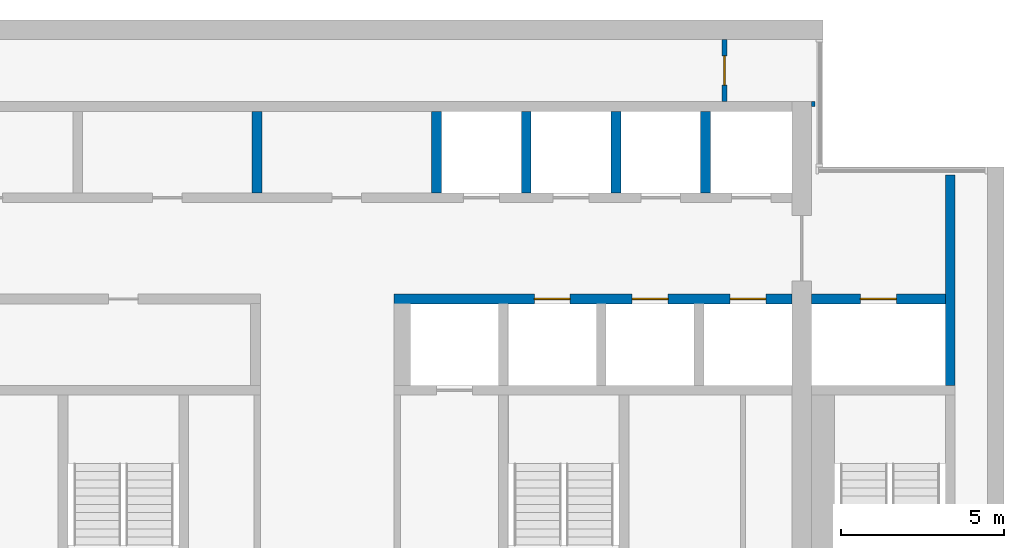
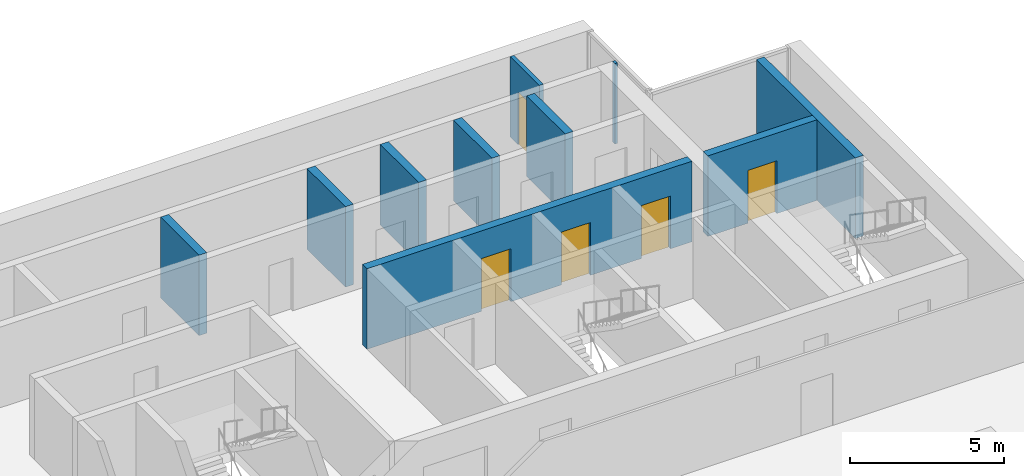
# One storey, part 11 of 14: 10 walls, 5 doors, 5 openings.
"""IFC4 building model written with IfcOpenShell, lengths in metres."""

from ifc_helpers import new_model, si_unit, direction, frame, frame_2d, origin, place, context, subcontext, project, spatial, rectangle, extrude, material, layer, layer_set, type_object, element, fill, save


model = new_model("IFC4")

# Units and contexts
model_context = context("Model", 3, precision=1e-05, world=origin(), true_north=direction((0.0, 1.0)))
body_context = subcontext(model_context, "Body", "Model", "MODEL_VIEW")
ifc_project = project(units=[si_unit("LENGTHUNIT", "METRE"), si_unit("AREAUNIT", "SQUARE_METRE"), si_unit("VOLUMEUNIT", "CUBIC_METRE"), si_unit("PLANEANGLEUNIT", "RADIAN"), si_unit("MASSUNIT", "GRAM", prefix="KILO")], contexts=[model_context])

# Site, building, storey
site_placement = place(None, origin())
site = spatial("IfcSite", under=ifc_project, at=site_placement, CompositionType="ELEMENT")
building_placement = place(site_placement, origin())
building = spatial("IfcBuilding", under=site, at=building_placement, Name="Calvaro Tower", CompositionType="ELEMENT")
storey_placement = place(building_placement, frame((0.0, 0.0, 262.14990234375)))
storey = spatial("IfcBuildingStorey", under=building, at=storey_placement, Name="L66", CompositionType="ELEMENT", Elevation=262.14990234375)

# Wall
ifc_material_1 = material(Name="Blockwork partition", Category="masonry")
ifc_layer_1 = layer(ifc_material_1, 0.10009765625)
ifc_layer_set_1 = layer_set([ifc_layer_1], Name="Blockwork partition")
wall_type_1 = type_object("IfcWallType", Name="Core partition 100 REI 120", PredefinedType="PARTITIONING", material=ifc_layer_set_1)
wall_1_placement = place(storey_placement, frame((60.14990234375, 43.35009765625, 0.0), z_axis=(0.0, 0.0, 1.0), x_axis=(0.0, 1.0, 0.0)))
element("IfcWall", 1, at=wall_1_placement, inside=storey, type_object=wall_type_1, Name="Core partition", PredefinedType="PARTITIONING", context=body_context, shape_type="SweptSolid", body=[
    extrude(rectangle(XDim=0.14990234375, YDim=0.10009765625, at=frame_2d((0.074951171875, 0.0))), origin(), (0.0, 0.0, 1.0), 3.2001953125),
])

# Wall, opening, door
ifc_material_2 = material(Name="Blockwork partition", Category="masonry")
ifc_layer_2 = layer(ifc_material_2, 0.14990234375)
ifc_layer_set_2 = layer_set([ifc_layer_2], Name="Blockwork partition")
wall_type_2 = type_object("IfcWallType", Name="Core partition 150 REI 120", PredefinedType="PARTITIONING", material=ifc_layer_set_2)
wall_2_placement = place(storey_placement, frame((57.425048828125, 45.39990234375, 0.0), z_axis=(0.0, 0.0, 1.0), x_axis=(0.0, -1.0, 0.0)))
wall_2 = element("IfcWall", 2, at=wall_2_placement, inside=storey, type_object=wall_type_2, Name="Core partition", PredefinedType="PARTITIONING", context=body_context, shape_type="SweptSolid", body=[
    extrude(rectangle(XDim=1.89990234375, YDim=0.14990234375, at=frame_2d((0.949951171875, 0.0))), origin(), (0.0, 0.0, 1.0), 3.2001953125),
])
opening_1_placement = place(wall_2_placement, frame((0.5, 0.0, 0.0)))
opening_1 = element("IfcOpeningElement", 3, at=opening_1_placement, cuts=wall_2, Name="Opening RD9E", PredefinedType="OPENING", context=body_context, shape_type="SweptSolid", body=[
    extrude(rectangle(XDim=0.89990234375, YDim=2.10009765625, at=frame_2d((0.449951171875, 1.050048828125))), frame((0.0, 0.0849609375, 0.0), z_axis=(0.0, -1.0, 0.0), x_axis=(1.0, 0.0, 0.0)), (0.0, 0.0, 1.0), 0.169921875),
])
ifc_material_3 = material(Name="Steel door set", Category="steel")
door_type_1 = type_object("IfcDoorType", Name="Room door 900 FD60", OperationType="SINGLE_SWING_LEFT", PredefinedType="DOOR", material=ifc_material_3)
door_1_placement = place(opening_1_placement, origin())
door_1 = element("IfcDoor", 4, at=door_1_placement, inside=storey, type_object=door_type_1, Name="Room door", OperationType="SINGLE_SWING_LEFT", OverallHeight=2.10009765625, OverallWidth=0.89990234375, PredefinedType="DOOR", context=body_context, shape_type="SweptSolid", body=[
    extrude(rectangle(XDim=0.89990234375, YDim=2.10009765625, at=frame_2d((0.449951171875, 1.050048828125))), frame((0.0, 0.02490234375, 0.0), z_axis=(0.0, -1.0, 0.0), x_axis=(1.0, 0.0, 0.0)), (0.0, 0.0, 1.0), 0.050048828125),
])
fill(opening_1, door_1)

# Walls
ifc_material_4 = material(Name="Blockwork partition", Category="masonry")
ifc_layer_3 = layer(ifc_material_4, 0.300048828125)
ifc_layer_set_3 = layer_set([ifc_layer_3], Name="Blockwork partition")
wall_type_3 = type_object("IfcWallType", Name="Core partition 300 EI 60", PredefinedType="PARTITIONING", material=ifc_layer_set_3)
wall_3_placement = place(storey_placement, frame((43.10009765625, 40.699951171875, 0.0), z_axis=(0.0, 0.0, 1.0), x_axis=(0.0, 1.0, 0.0)))
element("IfcWall", 5, at=wall_3_placement, inside=storey, type_object=wall_type_3, Name="Core partition", PredefinedType="PARTITIONING", context=body_context, shape_type="SweptSolid", body=[
    extrude(rectangle(XDim=2.5, YDim=0.300048828125, at=frame_2d((1.25, 0.0))), origin(), (0.0, 0.0, 1.0), 3.2001953125),
])
ifc_material_5 = material(Name="Concrete C40/50", Category="concrete")
ifc_layer_4 = layer(ifc_material_5, 0.300048828125)
ifc_layer_set_4 = layer_set([ifc_layer_4], Name="Concrete C40/50")
wall_type_4 = type_object("IfcWallType", Name="Core wall C40/50 300", PredefinedType="SHEAR", material=ifc_layer_set_4)
wall_4_placement = place(storey_placement, frame((64.35009765625, 34.800048828125, 0.0), z_axis=(0.0, 0.0, 1.0), x_axis=(0.0, 1.0, 0.0)))
element("IfcWall", 6, at=wall_4_placement, inside=storey, type_object=wall_type_4, Name="Core wall, boundary", PredefinedType="SHEAR", context=body_context, shape_type="SweptSolid", body=[
    extrude(rectangle(XDim=6.449951171875, YDim=0.300048828125, at=frame_2d((3.22509765625, 0.0))), origin(), (0.0, 0.0, 1.0), 3.2001953125),
])

# Wall, openings, doors
wall_5_placement = place(storey_placement, frame((47.300048828125, 37.449951171875, 0.0), z_axis=(0.0, 0.0, 1.0), x_axis=(1.0, 0.0, 0.0)))
wall_5 = element("IfcWall", 7, at=wall_5_placement, inside=storey, type_object=wall_type_4, Name="Core wall, lift shaft", PredefinedType="SHEAR", context=body_context, shape_type="SweptSolid", body=[
    extrude(rectangle(XDim=12.199951171875, YDim=0.300048828125, at=frame_2d((6.10009765625, 0.0))), origin(), (0.0, 0.0, 1.0), 3.2001953125),
])
opening_2_placement = place(wall_5_placement, frame((4.300048828125, 0.0, 0.0)))
opening_2 = element("IfcOpeningElement", 8, at=opening_2_placement, cuts=wall_5, Name="Opening HR1", PredefinedType="OPENING", context=body_context, shape_type="SweptSolid", body=[
    extrude(rectangle(XDim=1.10009765625, YDim=2.10009765625, at=frame_2d((0.550048828125, 1.050048828125))), frame((0.0, 0.159912109375, 0.0), z_axis=(0.0, -1.0, 0.0), x_axis=(1.0, 0.0, 0.0)), (0.0, 0.0, 1.0), 0.320068359375),
])
opening_3_placement = place(wall_5_placement, frame((7.300048828125, 0.0, 0.0)))
opening_3 = element("IfcOpeningElement", 9, at=opening_3_placement, cuts=wall_5, Name="Opening HR2", PredefinedType="OPENING", context=body_context, shape_type="SweptSolid", body=[
    extrude(rectangle(XDim=1.10009765625, YDim=2.10009765625, at=frame_2d((0.550048828125, 1.050048828125))), frame((0.0, 0.159912109375, 0.0), z_axis=(0.0, -1.0, 0.0), x_axis=(1.0, 0.0, 0.0)), (0.0, 0.0, 1.0), 0.320068359375),
])
opening_4_placement = place(wall_5_placement, frame((10.300048828125, 0.0, 0.0)))
opening_4 = element("IfcOpeningElement", 10, at=opening_4_placement, cuts=wall_5, Name="Opening HR3", PredefinedType="OPENING", context=body_context, shape_type="SweptSolid", body=[
    extrude(rectangle(XDim=1.10009765625, YDim=2.10009765625, at=frame_2d((0.550048828125, 1.050048828125))), frame((0.0, 0.159912109375, 0.0), z_axis=(0.0, -1.0, 0.0), x_axis=(1.0, 0.0, 0.0)), (0.0, 0.0, 1.0), 0.320068359375),
])
ifc_material_6 = material(Name="Stainless steel", Category="steel")
door_type_2 = type_object("IfcDoorType", Name="Landing door 1100 E 60", OperationType="SLIDING_TO_LEFT", PredefinedType="DOOR", material=ifc_material_6)
door_2_placement = place(opening_2_placement, origin())
door_2 = element("IfcDoor", 11, at=door_2_placement, inside=storey, type_object=door_type_2, Name="Landing door HR1", OperationType="SLIDING_TO_LEFT", OverallHeight=2.10009765625, OverallWidth=1.10009765625, PredefinedType="DOOR", context=body_context, shape_type="SweptSolid", body=[
    extrude(rectangle(XDim=1.10009765625, YDim=2.10009765625, at=frame_2d((0.550048828125, 1.050048828125))), frame((0.0, 0.02490234375, 0.0), z_axis=(0.0, -1.0, 0.0), x_axis=(1.0, 0.0, 0.0)), (0.0, 0.0, 1.0), 0.050048828125),
])
fill(opening_2, door_2)
door_3_placement = place(opening_3_placement, origin())
door_3 = element("IfcDoor", 12, at=door_3_placement, inside=storey, type_object=door_type_2, Name="Landing door HR2", OperationType="SLIDING_TO_LEFT", OverallHeight=2.10009765625, OverallWidth=1.10009765625, PredefinedType="DOOR", context=body_context, shape_type="SweptSolid", body=[
    extrude(rectangle(XDim=1.10009765625, YDim=2.10009765625, at=frame_2d((0.550048828125, 1.050048828125))), frame((0.0, 0.02490234375, 0.0), z_axis=(0.0, -1.0, 0.0), x_axis=(1.0, 0.0, 0.0)), (0.0, 0.0, 1.0), 0.050048828125),
])
fill(opening_3, door_3)
door_4_placement = place(opening_4_placement, origin())
door_4 = element("IfcDoor", 13, at=door_4_placement, inside=storey, type_object=door_type_2, Name="Landing door HR3", OperationType="SLIDING_TO_LEFT", OverallHeight=2.10009765625, OverallWidth=1.10009765625, PredefinedType="DOOR", context=body_context, shape_type="SweptSolid", body=[
    extrude(rectangle(XDim=1.10009765625, YDim=2.10009765625, at=frame_2d((0.550048828125, 1.050048828125))), frame((0.0, 0.02490234375, 0.0), z_axis=(0.0, -1.0, 0.0), x_axis=(1.0, 0.0, 0.0)), (0.0, 0.0, 1.0), 0.050048828125),
])
fill(opening_4, door_4)

# Wall, opening, door
wall_6_placement = place(storey_placement, frame((60.10009765625, 37.449951171875, 0.0), z_axis=(0.0, 0.0, 1.0), x_axis=(1.0, 0.0, 0.0)))
wall_6 = element("IfcWall", 14, at=wall_6_placement, inside=storey, type_object=wall_type_4, Name="Core wall, lift shaft", PredefinedType="SHEAR", context=body_context, shape_type="SweptSolid", body=[
    extrude(rectangle(XDim=4.099853515625, YDim=0.300048828125, at=frame_2d((2.0498046875, 0.0))), origin(), (0.0, 0.0, 1.0), 3.2001953125),
])
opening_5_placement = place(wall_6_placement, frame((1.5, 0.0, 0.0)))
opening_5 = element("IfcOpeningElement", 15, at=opening_5_placement, cuts=wall_6, Name="Opening FF3", PredefinedType="OPENING", context=body_context, shape_type="SweptSolid", body=[
    extrude(rectangle(XDim=1.10009765625, YDim=2.10009765625, at=frame_2d((0.550048828125, 1.050048828125))), frame((0.0, 0.159912109375, 0.0), z_axis=(0.0, -1.0, 0.0), x_axis=(1.0, 0.0, 0.0)), (0.0, 0.0, 1.0), 0.320068359375),
])
door_5_placement = place(opening_5_placement, origin())
door_5 = element("IfcDoor", 16, at=door_5_placement, inside=storey, type_object=door_type_2, Name="Landing door FF3", OperationType="SLIDING_TO_LEFT", OverallHeight=2.10009765625, OverallWidth=1.10009765625, PredefinedType="DOOR", context=body_context, shape_type="SweptSolid", body=[
    extrude(rectangle(XDim=1.10009765625, YDim=2.10009765625, at=frame_2d((0.550048828125, 1.050048828125))), frame((0.0, 0.02490234375, 0.0), z_axis=(0.0, -1.0, 0.0), x_axis=(1.0, 0.0, 0.0)), (0.0, 0.0, 1.0), 0.050048828125),
])
fill(opening_5, door_5)

# Walls
for number, where, z_axis, x_axis, name in (
    (17, (48.60009765625, 40.699951171875, 0.0), (0.0, 0.0, 1.0), (0.0, 1.0, 0.0), "Core wall, lift shaft"),
    (18, (51.35009765625, 40.699951171875, 0.0), (0.0, 0.0, 1.0), (0.0, 1.0, 0.0), "Core wall, lift shaft"),
    (19, (54.10009765625, 40.699951171875, 0.0), (0.0, 0.0, 1.0), (0.0, 1.0, 0.0), "Core wall, lift shaft"),
    (20, (56.85009765625, 40.699951171875, 0.0), (0.0, 0.0, 1.0), (0.0, 1.0, 0.0), "Core wall, lift shaft"),
):
    element("IfcWall", number, at=place(storey_placement, frame(where, z_axis=z_axis, x_axis=x_axis)), inside=storey, type_object=wall_type_4, Name=name, PredefinedType="SHEAR", context=body_context, shape_type="SweptSolid", body=[
        extrude(rectangle(XDim=2.5, YDim=0.300048828125, at=frame_2d((1.25, 0.0))), origin(), (0.0, 0.0, 1.0), 3.2001953125),
    ])

save(model, "model.ifc")
